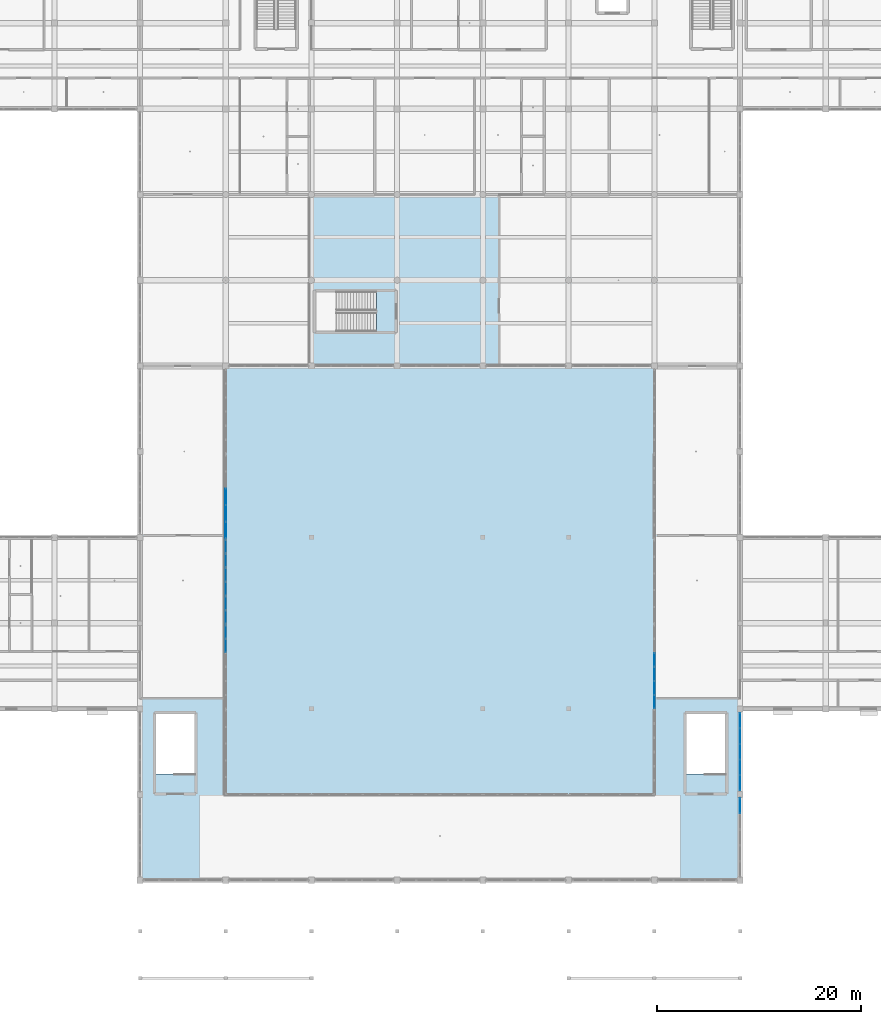
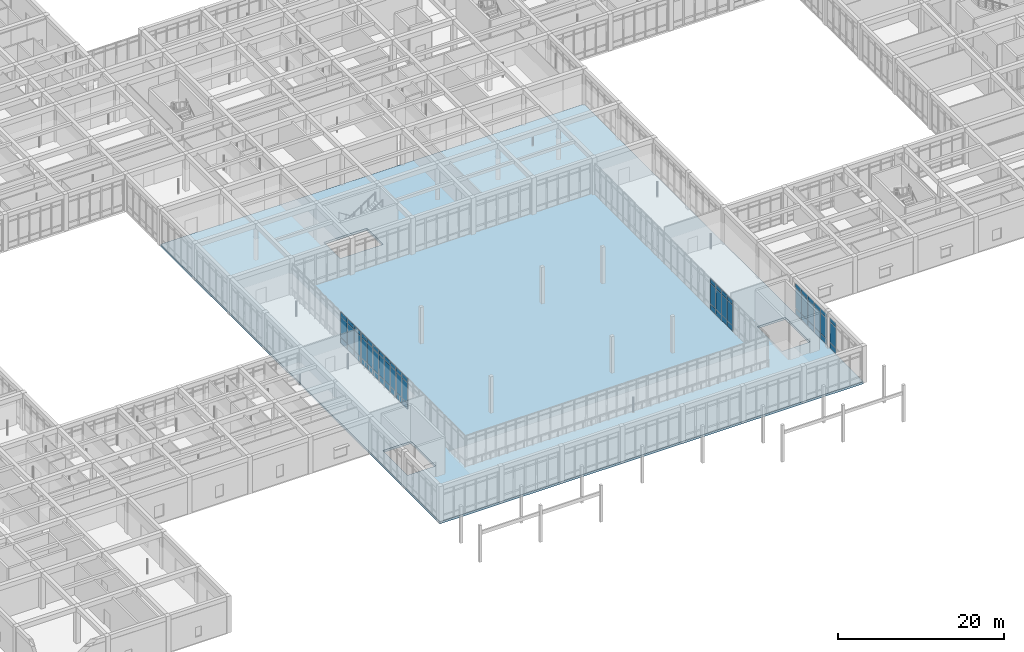
# One storey, part 61 of 157: 63 plates, 1 slab, 6 elements without a shape of their own.
"""IFC4 building model written with IfcOpenShell, lengths in metres."""

from ifc_helpers import new_model, si_unit, direction, frame, origin, origin_2d, place, context, subcontext, project, spatial, polyline, rectangle, outline, extrude, material, layer, layer_set, type_object, element, aggregate, save


model = new_model("IFC4")

# Units and contexts
model_context = context("Model", 3, precision=1e-05, world=origin(), true_north=direction((0.0, 1.0)))
body_context = subcontext(model_context, "Body", "Model", "MODEL_VIEW")
ifc_project = project(units=[si_unit("LENGTHUNIT", "METRE"), si_unit("AREAUNIT", "SQUARE_METRE"), si_unit("VOLUMEUNIT", "CUBIC_METRE"), si_unit("PLANEANGLEUNIT", "RADIAN"), si_unit("MASSUNIT", "GRAM", prefix="KILO")], contexts=[model_context])

# Site, building, storey
site_placement = place(None, origin())
site = spatial("IfcSite", under=ifc_project, at=site_placement, CompositionType="ELEMENT")
building_placement = place(site_placement, origin())
building = spatial("IfcBuilding", under=site, at=building_placement, Name="Varncliffe General Hospital", CompositionType="ELEMENT")
storey_placement = place(building_placement, frame((0.0, 0.0, 5.39990234375)))
storey = spatial("IfcBuildingStorey", under=building, at=storey_placement, Name="L01", CompositionType="ELEMENT", Elevation=5.39990234375)

# Curtain wall, plates
ifc_material_1 = material(Name="Triple low-E argon insulated vision glazing", Category="glass")
curtain_wall_type_1 = type_object("IfcCurtainWallType", Name="Unitised Glazed Curtain Wall CW14 (8260x4640)", PredefinedType="USERDEFINED", material=ifc_material_1)
curtain_wall_1_placement = place(storey_placement, origin())
curtain_wall_1 = element("IfcCurtainWall", 1, at=curtain_wall_1_placement, inside=storey, type_object=curtain_wall_type_1, Name="L01 Glazed Curtain Wall CW14-97", ObjectType="GLAZED CURTAIN WALL", PredefinedType="USERDEFINED")
ifc_layer_1 = layer(ifc_material_1, 0.0439453125)
ifc_layer_set_1 = layer_set([ifc_layer_1], Name="Triple low-E argon insulated vision glazing")
plate_type_1 = type_object("IfcPlateType", Name="Curtain Wall Glazing Panel CP12 (44mm)", PredefinedType="CURTAIN_PANEL", material=ifc_layer_set_1)
plate_1_placement = place(storey_placement, frame((109.199951171875, 24.6875, 0.06005859375), z_axis=(0.0, 0.0, 1.0), x_axis=(0.0, 1.0, 0.0)))
plate_1 = element("IfcPlate", 2, at=plate_1_placement, type_object=plate_type_1, Name="CW14 panel 1.1", PredefinedType="CURTAIN_PANEL", context=body_context, shape_type="SweptSolid", body=[
    extrude(rectangle(XDim=1.26416015625, YDim=0.0439453125, at=origin_2d()), origin(), (0.0, 0.0, 1.0), 0.81005859375),
])
plate_2_placement = place(storey_placement, frame((109.199951171875, 24.6875, 0.93017578125), z_axis=(0.0, 0.0, 1.0), x_axis=(0.0, 1.0, 0.0)))
plate_2 = element("IfcPlate", 3, at=plate_2_placement, type_object=plate_type_1, Name="CW14 panel 1.2", PredefinedType="CURTAIN_PANEL", context=body_context, shape_type="SweptSolid", body=[
    extrude(rectangle(XDim=1.26416015625, YDim=0.0439453125, at=origin_2d()), origin(), (0.0, 0.0, 1.0), 2.97998046875),
])
plate_3_placement = place(storey_placement, frame((109.199951171875, 24.6875, 3.97021484375), z_axis=(0.0, 0.0, 1.0), x_axis=(0.0, 1.0, 0.0)))
plate_3 = element("IfcPlate", 4, at=plate_3_placement, type_object=plate_type_1, Name="CW14 panel 1.3", PredefinedType="CURTAIN_PANEL", context=body_context, shape_type="SweptSolid", body=[
    extrude(rectangle(XDim=1.26416015625, YDim=0.0439453125, at=origin_2d()), origin(), (0.0, 0.0, 1.0), 0.610107421875),
])
plate_4_placement = place(storey_placement, frame((109.199951171875, 26.04541015625, 0.06005859375), z_axis=(0.0, 0.0, 1.0), x_axis=(0.0, 1.0, 0.0)))
plate_4 = element("IfcPlate", 5, at=plate_4_placement, type_object=plate_type_1, Name="CW14 panel 2.1", PredefinedType="CURTAIN_PANEL", context=body_context, shape_type="SweptSolid", body=[
    extrude(rectangle(XDim=1.3017578125, YDim=0.0439453125, at=origin_2d()), origin(), (0.0, 0.0, 1.0), 0.81005859375),
])
plate_5_placement = place(storey_placement, frame((109.199951171875, 26.04541015625, 0.93017578125), z_axis=(0.0, 0.0, 1.0), x_axis=(0.0, 1.0, 0.0)))
plate_5 = element("IfcPlate", 6, at=plate_5_placement, type_object=plate_type_1, Name="CW14 panel 2.2", PredefinedType="CURTAIN_PANEL", context=body_context, shape_type="SweptSolid", body=[
    extrude(rectangle(XDim=1.3017578125, YDim=0.0439453125, at=origin_2d()), origin(), (0.0, 0.0, 1.0), 2.97998046875),
])
plate_6_placement = place(storey_placement, frame((109.199951171875, 26.04541015625, 3.97021484375), z_axis=(0.0, 0.0, 1.0), x_axis=(0.0, 1.0, 0.0)))
plate_6 = element("IfcPlate", 7, at=plate_6_placement, type_object=plate_type_1, Name="CW14 panel 2.3", PredefinedType="CURTAIN_PANEL", context=body_context, shape_type="SweptSolid", body=[
    extrude(rectangle(XDim=1.3017578125, YDim=0.0439453125, at=origin_2d()), origin(), (0.0, 0.0, 1.0), 0.610107421875),
])
plate_7_placement = place(storey_placement, frame((109.199951171875, 27.422119140625, 0.06005859375), z_axis=(0.0, 0.0, 1.0), x_axis=(0.0, 1.0, 0.0)))
plate_7 = element("IfcPlate", 8, at=plate_7_placement, type_object=plate_type_1, Name="CW14 panel 3.1", PredefinedType="CURTAIN_PANEL", context=body_context, shape_type="SweptSolid", body=[
    extrude(rectangle(XDim=1.3017578125, YDim=0.0439453125, at=origin_2d()), origin(), (0.0, 0.0, 1.0), 0.81005859375),
])
plate_8_placement = place(storey_placement, frame((109.199951171875, 27.422119140625, 0.93017578125), z_axis=(0.0, 0.0, 1.0), x_axis=(0.0, 1.0, 0.0)))
plate_8 = element("IfcPlate", 9, at=plate_8_placement, type_object=plate_type_1, Name="CW14 panel 3.2", PredefinedType="CURTAIN_PANEL", context=body_context, shape_type="SweptSolid", body=[
    extrude(rectangle(XDim=1.3017578125, YDim=0.0439453125, at=origin_2d()), origin(), (0.0, 0.0, 1.0), 2.97998046875),
])
plate_9_placement = place(storey_placement, frame((109.199951171875, 27.422119140625, 3.97021484375), z_axis=(0.0, 0.0, 1.0), x_axis=(0.0, 1.0, 0.0)))
plate_9 = element("IfcPlate", 10, at=plate_9_placement, type_object=plate_type_1, Name="CW14 panel 3.3", PredefinedType="CURTAIN_PANEL", context=body_context, shape_type="SweptSolid", body=[
    extrude(rectangle(XDim=1.3017578125, YDim=0.0439453125, at=origin_2d()), origin(), (0.0, 0.0, 1.0), 0.610107421875),
])
plate_10_placement = place(storey_placement, frame((109.199951171875, 28.799072265625, 0.06005859375), z_axis=(0.0, 0.0, 1.0), x_axis=(0.0, 1.0, 0.0)))
plate_10 = element("IfcPlate", 11, at=plate_10_placement, type_object=plate_type_1, Name="CW14 panel 4.1", PredefinedType="CURTAIN_PANEL", context=body_context, shape_type="SweptSolid", body=[
    extrude(rectangle(XDim=1.3017578125, YDim=0.0439453125, at=origin_2d()), origin(), (0.0, 0.0, 1.0), 0.81005859375),
])
plate_11_placement = place(storey_placement, frame((109.199951171875, 28.799072265625, 0.93017578125), z_axis=(0.0, 0.0, 1.0), x_axis=(0.0, 1.0, 0.0)))
plate_11 = element("IfcPlate", 12, at=plate_11_placement, type_object=plate_type_1, Name="CW14 panel 4.2", PredefinedType="CURTAIN_PANEL", context=body_context, shape_type="SweptSolid", body=[
    extrude(rectangle(XDim=1.3017578125, YDim=0.0439453125, at=origin_2d()), origin(), (0.0, 0.0, 1.0), 2.97998046875),
])
plate_12_placement = place(storey_placement, frame((109.199951171875, 28.799072265625, 3.97021484375), z_axis=(0.0, 0.0, 1.0), x_axis=(0.0, 1.0, 0.0)))
plate_12 = element("IfcPlate", 13, at=plate_12_placement, type_object=plate_type_1, Name="CW14 panel 4.3", PredefinedType="CURTAIN_PANEL", context=body_context, shape_type="SweptSolid", body=[
    extrude(rectangle(XDim=1.3017578125, YDim=0.0439453125, at=origin_2d()), origin(), (0.0, 0.0, 1.0), 0.610107421875),
])
aggregate(curtain_wall_1, [plate_1, plate_2, plate_3, plate_4, plate_5, plate_6, plate_7, plate_8, plate_9, plate_10, plate_11, plate_12])

curtain_wall_2_placement = place(storey_placement, origin())
curtain_wall_2 = element("IfcCurtainWall", 14, at=curtain_wall_2_placement, inside=storey, type_object=curtain_wall_type_1, Name="L01 Glazed Curtain Wall CW14-109", ObjectType="GLAZED CURTAIN WALL", PredefinedType="USERDEFINED")
plate_13_placement = place(storey_placement, frame((67.199951171875, 31.53369140625, 0.06005859375), z_axis=(0.0, 0.0, 1.0), x_axis=(0.0, -1.0, 0.0)))
plate_13 = element("IfcPlate", 15, at=plate_13_placement, type_object=plate_type_1, Name="CW14 panel 1.1", PredefinedType="CURTAIN_PANEL", context=body_context, shape_type="SweptSolid", body=[
    extrude(rectangle(XDim=1.26416015625, YDim=0.0439453125, at=origin_2d()), origin(), (0.0, 0.0, 1.0), 0.81005859375),
])
plate_14_placement = place(storey_placement, frame((67.199951171875, 31.53369140625, 0.93017578125), z_axis=(0.0, 0.0, 1.0), x_axis=(0.0, -1.0, 0.0)))
plate_14 = element("IfcPlate", 16, at=plate_14_placement, type_object=plate_type_1, Name="CW14 panel 1.2", PredefinedType="CURTAIN_PANEL", context=body_context, shape_type="SweptSolid", body=[
    extrude(rectangle(XDim=1.26416015625, YDim=0.0439453125, at=origin_2d()), origin(), (0.0, 0.0, 1.0), 2.97998046875),
])
plate_15_placement = place(storey_placement, frame((67.199951171875, 31.53369140625, 3.97021484375), z_axis=(0.0, 0.0, 1.0), x_axis=(0.0, -1.0, 0.0)))
plate_15 = element("IfcPlate", 17, at=plate_15_placement, type_object=plate_type_1, Name="CW14 panel 1.3", PredefinedType="CURTAIN_PANEL", context=body_context, shape_type="SweptSolid", body=[
    extrude(rectangle(XDim=1.26416015625, YDim=0.0439453125, at=origin_2d()), origin(), (0.0, 0.0, 1.0), 0.610107421875),
])
plate_16_placement = place(storey_placement, frame((67.199951171875, 30.17578125, 0.06005859375), z_axis=(0.0, 0.0, 1.0), x_axis=(0.0, -1.0, 0.0)))
plate_16 = element("IfcPlate", 18, at=plate_16_placement, type_object=plate_type_1, Name="CW14 panel 2.1", PredefinedType="CURTAIN_PANEL", context=body_context, shape_type="SweptSolid", body=[
    extrude(rectangle(XDim=1.3017578125, YDim=0.0439453125, at=origin_2d()), origin(), (0.0, 0.0, 1.0), 0.81005859375),
])
plate_17_placement = place(storey_placement, frame((67.199951171875, 30.17578125, 0.93017578125), z_axis=(0.0, 0.0, 1.0), x_axis=(0.0, -1.0, 0.0)))
plate_17 = element("IfcPlate", 19, at=plate_17_placement, type_object=plate_type_1, Name="CW14 panel 2.2", PredefinedType="CURTAIN_PANEL", context=body_context, shape_type="SweptSolid", body=[
    extrude(rectangle(XDim=1.3017578125, YDim=0.0439453125, at=origin_2d()), origin(), (0.0, 0.0, 1.0), 2.97998046875),
])
plate_18_placement = place(storey_placement, frame((67.199951171875, 30.17578125, 3.97021484375), z_axis=(0.0, 0.0, 1.0), x_axis=(0.0, -1.0, 0.0)))
plate_18 = element("IfcPlate", 20, at=plate_18_placement, type_object=plate_type_1, Name="CW14 panel 2.3", PredefinedType="CURTAIN_PANEL", context=body_context, shape_type="SweptSolid", body=[
    extrude(rectangle(XDim=1.3017578125, YDim=0.0439453125, at=origin_2d()), origin(), (0.0, 0.0, 1.0), 0.610107421875),
])
aggregate(curtain_wall_2, [plate_13, plate_14, plate_15, plate_16, plate_17, plate_18])

curtain_wall_type_2 = type_object("IfcCurtainWallType", Name="Unitised Glazed Curtain Wall CW85 (7804x4640)", PredefinedType="USERDEFINED", material=ifc_material_1)
curtain_wall_3_placement = place(storey_placement, origin())
curtain_wall_3 = element("IfcCurtainWall", 21, at=curtain_wall_3_placement, inside=storey, type_object=curtain_wall_type_2, Name="L01 Glazed Curtain Wall CW85-45", ObjectType="GLAZED CURTAIN WALL", PredefinedType="USERDEFINED")
ifc_layer_2 = layer(ifc_material_1, 0.035888671875)
ifc_layer_set_2 = layer_set([ifc_layer_2], Name="Triple low-E argon insulated vision glazing")
plate_type_2 = type_object("IfcPlateType", Name="Curtain Wall Glazing Panel CP27 (36mm)", PredefinedType="CURTAIN_PANEL", material=ifc_layer_set_2)
plate_19_placement = place(storey_placement, frame((117.60009765625, 14.5029296875, 0.06494140625), z_axis=(0.0, 0.0, 1.0), x_axis=(0.0, -1.0, 0.0)))
plate_19 = element("IfcPlate", 22, at=plate_19_placement, type_object=plate_type_2, Name="CW85 panel 1.1", PredefinedType="CURTAIN_PANEL", context=body_context, shape_type="SweptSolid", body=[
    extrude(rectangle(XDim=1.4482421875, YDim=0.035888671875, at=origin_2d()), origin(), (0.0, 0.0, 1.0), 0.802490234375),
])
plate_20_placement = place(storey_placement, frame((117.60009765625, 14.5029296875, 0.9326171875), z_axis=(0.0, 0.0, 1.0), x_axis=(0.0, -1.0, 0.0)))
plate_20 = element("IfcPlate", 23, at=plate_20_placement, type_object=plate_type_2, Name="CW85 panel 1.2", PredefinedType="CURTAIN_PANEL", context=body_context, shape_type="SweptSolid", body=[
    extrude(rectangle(XDim=1.4482421875, YDim=0.035888671875, at=origin_2d()), origin(), (0.0, 0.0, 1.0), 2.97509765625),
])
plate_21_placement = place(storey_placement, frame((117.60009765625, 14.5029296875, 3.97265625), z_axis=(0.0, 0.0, 1.0), x_axis=(0.0, -1.0, 0.0)))
plate_21 = element("IfcPlate", 24, at=plate_21_placement, type_object=plate_type_2, Name="CW85 panel 1.3", PredefinedType="CURTAIN_PANEL", context=body_context, shape_type="SweptSolid", body=[
    extrude(rectangle(XDim=1.4482421875, YDim=0.035888671875, at=origin_2d()), origin(), (0.0, 0.0, 1.0), 0.6025390625),
])
aggregate(curtain_wall_3, [plate_19, plate_20, plate_21])

curtain_wall_type_3 = type_object("IfcCurtainWallType", Name="Unitised Glazed Curtain Wall CW86 (8340x4640)", PredefinedType="USERDEFINED", material=ifc_material_1)
curtain_wall_4_placement = place(storey_placement, origin())
curtain_wall_4 = element("IfcCurtainWall", 25, at=curtain_wall_4_placement, inside=storey, type_object=curtain_wall_type_3, Name="L01 Glazed Curtain Wall CW86-108", ObjectType="GLAZED CURTAIN WALL", PredefinedType="USERDEFINED")
plate_22_placement = place(storey_placement, frame((67.199951171875, 39.907470703125, 0.06494140625), z_axis=(0.0, 0.0, 1.0), x_axis=(0.0, -1.0, 0.0)))
plate_22 = element("IfcPlate", 26, at=plate_22_placement, type_object=plate_type_2, Name="CW86 panel 1.1", PredefinedType="CURTAIN_PANEL", context=body_context, shape_type="SweptSolid", body=[
    extrude(rectangle(XDim=1.277587890625, YDim=0.035888671875, at=origin_2d()), origin(), (0.0, 0.0, 1.0), 0.802490234375),
])
plate_23_placement = place(storey_placement, frame((67.199951171875, 39.907470703125, 0.9326171875), z_axis=(0.0, 0.0, 1.0), x_axis=(0.0, -1.0, 0.0)))
plate_23 = element("IfcPlate", 27, at=plate_23_placement, type_object=plate_type_2, Name="CW86 panel 1.2", PredefinedType="CURTAIN_PANEL", context=body_context, shape_type="SweptSolid", body=[
    extrude(rectangle(XDim=1.277587890625, YDim=0.035888671875, at=origin_2d()), origin(), (0.0, 0.0, 1.0), 2.97509765625),
])
plate_24_placement = place(storey_placement, frame((67.199951171875, 39.907470703125, 3.97265625), z_axis=(0.0, 0.0, 1.0), x_axis=(0.0, -1.0, 0.0)))
plate_24 = element("IfcPlate", 28, at=plate_24_placement, type_object=plate_type_2, Name="CW86 panel 1.3", PredefinedType="CURTAIN_PANEL", context=body_context, shape_type="SweptSolid", body=[
    extrude(rectangle(XDim=1.277587890625, YDim=0.035888671875, at=origin_2d()), origin(), (0.0, 0.0, 1.0), 0.6025390625),
])
plate_25_placement = place(storey_placement, frame((67.199951171875, 38.5361328125, 0.06494140625), z_axis=(0.0, 0.0, 1.0), x_axis=(0.0, -1.0, 0.0)))
plate_25 = element("IfcPlate", 29, at=plate_25_placement, type_object=plate_type_2, Name="CW86 panel 2.1", PredefinedType="CURTAIN_PANEL", context=body_context, shape_type="SweptSolid", body=[
    extrude(rectangle(XDim=1.315185546875, YDim=0.035888671875, at=origin_2d()), origin(), (0.0, 0.0, 1.0), 0.802490234375),
])
plate_26_placement = place(storey_placement, frame((67.199951171875, 38.5361328125, 0.9326171875), z_axis=(0.0, 0.0, 1.0), x_axis=(0.0, -1.0, 0.0)))
plate_26 = element("IfcPlate", 30, at=plate_26_placement, type_object=plate_type_2, Name="CW86 panel 2.2", PredefinedType="CURTAIN_PANEL", context=body_context, shape_type="SweptSolid", body=[
    extrude(rectangle(XDim=1.315185546875, YDim=0.035888671875, at=origin_2d()), origin(), (0.0, 0.0, 1.0), 2.97509765625),
])
plate_27_placement = place(storey_placement, frame((67.199951171875, 38.5361328125, 3.97265625), z_axis=(0.0, 0.0, 1.0), x_axis=(0.0, -1.0, 0.0)))
plate_27 = element("IfcPlate", 31, at=plate_27_placement, type_object=plate_type_2, Name="CW86 panel 2.3", PredefinedType="CURTAIN_PANEL", context=body_context, shape_type="SweptSolid", body=[
    extrude(rectangle(XDim=1.315185546875, YDim=0.035888671875, at=origin_2d()), origin(), (0.0, 0.0, 1.0), 0.6025390625),
])
plate_28_placement = place(storey_placement, frame((67.199951171875, 37.14599609375, 0.06494140625), z_axis=(0.0, 0.0, 1.0), x_axis=(0.0, -1.0, 0.0)))
plate_28 = element("IfcPlate", 32, at=plate_28_placement, type_object=plate_type_2, Name="CW86 panel 3.1", PredefinedType="CURTAIN_PANEL", context=body_context, shape_type="SweptSolid", body=[
    extrude(rectangle(XDim=1.315185546875, YDim=0.035888671875, at=origin_2d()), origin(), (0.0, 0.0, 1.0), 0.802490234375),
])
plate_29_placement = place(storey_placement, frame((67.199951171875, 37.14599609375, 0.9326171875), z_axis=(0.0, 0.0, 1.0), x_axis=(0.0, -1.0, 0.0)))
plate_29 = element("IfcPlate", 33, at=plate_29_placement, type_object=plate_type_2, Name="CW86 panel 3.2", PredefinedType="CURTAIN_PANEL", context=body_context, shape_type="SweptSolid", body=[
    extrude(rectangle(XDim=1.315185546875, YDim=0.035888671875, at=origin_2d()), origin(), (0.0, 0.0, 1.0), 2.97509765625),
])
plate_30_placement = place(storey_placement, frame((67.199951171875, 37.14599609375, 3.97265625), z_axis=(0.0, 0.0, 1.0), x_axis=(0.0, -1.0, 0.0)))
plate_30 = element("IfcPlate", 34, at=plate_30_placement, type_object=plate_type_2, Name="CW86 panel 3.3", PredefinedType="CURTAIN_PANEL", context=body_context, shape_type="SweptSolid", body=[
    extrude(rectangle(XDim=1.315185546875, YDim=0.035888671875, at=origin_2d()), origin(), (0.0, 0.0, 1.0), 0.6025390625),
])
plate_31_placement = place(storey_placement, frame((67.199951171875, 35.755859375, 0.06494140625), z_axis=(0.0, 0.0, 1.0), x_axis=(0.0, -1.0, 0.0)))
plate_31 = element("IfcPlate", 35, at=plate_31_placement, type_object=plate_type_2, Name="CW86 panel 4.1", PredefinedType="CURTAIN_PANEL", context=body_context, shape_type="SweptSolid", body=[
    extrude(rectangle(XDim=1.315185546875, YDim=0.035888671875, at=origin_2d()), origin(), (0.0, 0.0, 1.0), 0.802490234375),
])
plate_32_placement = place(storey_placement, frame((67.199951171875, 35.755859375, 0.9326171875), z_axis=(0.0, 0.0, 1.0), x_axis=(0.0, -1.0, 0.0)))
plate_32 = element("IfcPlate", 36, at=plate_32_placement, type_object=plate_type_2, Name="CW86 panel 4.2", PredefinedType="CURTAIN_PANEL", context=body_context, shape_type="SweptSolid", body=[
    extrude(rectangle(XDim=1.315185546875, YDim=0.035888671875, at=origin_2d()), origin(), (0.0, 0.0, 1.0), 2.97509765625),
])
plate_33_placement = place(storey_placement, frame((67.199951171875, 35.755859375, 3.97265625), z_axis=(0.0, 0.0, 1.0), x_axis=(0.0, -1.0, 0.0)))
plate_33 = element("IfcPlate", 37, at=plate_33_placement, type_object=plate_type_2, Name="CW86 panel 4.3", PredefinedType="CURTAIN_PANEL", context=body_context, shape_type="SweptSolid", body=[
    extrude(rectangle(XDim=1.315185546875, YDim=0.035888671875, at=origin_2d()), origin(), (0.0, 0.0, 1.0), 0.6025390625),
])
plate_34_placement = place(storey_placement, frame((67.199951171875, 34.365966796875, 0.06494140625), z_axis=(0.0, 0.0, 1.0), x_axis=(0.0, -1.0, 0.0)))
plate_34 = element("IfcPlate", 38, at=plate_34_placement, type_object=plate_type_2, Name="CW86 panel 5.1", PredefinedType="CURTAIN_PANEL", context=body_context, shape_type="SweptSolid", body=[
    extrude(rectangle(XDim=1.315185546875, YDim=0.035888671875, at=origin_2d()), origin(), (0.0, 0.0, 1.0), 0.802490234375),
])
plate_35_placement = place(storey_placement, frame((67.199951171875, 34.365966796875, 0.9326171875), z_axis=(0.0, 0.0, 1.0), x_axis=(0.0, -1.0, 0.0)))
plate_35 = element("IfcPlate", 39, at=plate_35_placement, type_object=plate_type_2, Name="CW86 panel 5.2", PredefinedType="CURTAIN_PANEL", context=body_context, shape_type="SweptSolid", body=[
    extrude(rectangle(XDim=1.315185546875, YDim=0.035888671875, at=origin_2d()), origin(), (0.0, 0.0, 1.0), 2.97509765625),
])
plate_36_placement = place(storey_placement, frame((67.199951171875, 34.365966796875, 3.97265625), z_axis=(0.0, 0.0, 1.0), x_axis=(0.0, -1.0, 0.0)))
plate_36 = element("IfcPlate", 40, at=plate_36_placement, type_object=plate_type_2, Name="CW86 panel 5.3", PredefinedType="CURTAIN_PANEL", context=body_context, shape_type="SweptSolid", body=[
    extrude(rectangle(XDim=1.315185546875, YDim=0.035888671875, at=origin_2d()), origin(), (0.0, 0.0, 1.0), 0.6025390625),
])
plate_37_placement = place(storey_placement, frame((67.199951171875, 32.99462890625, 0.06494140625), z_axis=(0.0, 0.0, 1.0), x_axis=(0.0, -1.0, 0.0)))
plate_37 = element("IfcPlate", 41, at=plate_37_placement, type_object=plate_type_2, Name="CW86 panel 6.1", PredefinedType="CURTAIN_PANEL", context=body_context, shape_type="SweptSolid", body=[
    extrude(rectangle(XDim=1.277587890625, YDim=0.035888671875, at=origin_2d()), origin(), (0.0, 0.0, 1.0), 0.802490234375),
])
plate_38_placement = place(storey_placement, frame((67.199951171875, 32.99462890625, 0.9326171875), z_axis=(0.0, 0.0, 1.0), x_axis=(0.0, -1.0, 0.0)))
plate_38 = element("IfcPlate", 42, at=plate_38_placement, type_object=plate_type_2, Name="CW86 panel 6.2", PredefinedType="CURTAIN_PANEL", context=body_context, shape_type="SweptSolid", body=[
    extrude(rectangle(XDim=1.277587890625, YDim=0.035888671875, at=origin_2d()), origin(), (0.0, 0.0, 1.0), 2.97509765625),
])
plate_39_placement = place(storey_placement, frame((67.199951171875, 32.99462890625, 3.97265625), z_axis=(0.0, 0.0, 1.0), x_axis=(0.0, -1.0, 0.0)))
plate_39 = element("IfcPlate", 43, at=plate_39_placement, type_object=plate_type_2, Name="CW86 panel 6.3", PredefinedType="CURTAIN_PANEL", context=body_context, shape_type="SweptSolid", body=[
    extrude(rectangle(XDim=1.277587890625, YDim=0.035888671875, at=origin_2d()), origin(), (0.0, 0.0, 1.0), 0.6025390625),
])
aggregate(curtain_wall_4, [plate_22, plate_23, plate_24, plate_25, plate_26, plate_27, plate_28, plate_29, plate_30, plate_31, plate_32, plate_33, plate_34, plate_35, plate_36, plate_37, plate_38, plate_39])

curtain_wall_type_4 = type_object("IfcCurtainWallType", Name="Unitised Glazed Curtain Wall CW16 (8180x4640)", PredefinedType="USERDEFINED", material=ifc_material_1)
curtain_wall_5_placement = place(storey_placement, origin())
curtain_wall_5 = element("IfcCurtainWall", 44, at=curtain_wall_5_placement, inside=storey, type_object=curtain_wall_type_4, Name="L01 Glazed Curtain Wall CW16-107", ObjectType="GLAZED CURTAIN WALL", PredefinedType="USERDEFINED")
ifc_material_2 = material(Name="Insulated ceramic-fritted spandrel glazing panel", Category="glass")
ifc_layer_3 = layer(ifc_material_2, 0.052001953125)
ifc_layer_set_3 = layer_set([ifc_layer_3], Name="Insulated ceramic-fritted spandrel glazing panel")
plate_type_3 = type_object("IfcPlateType", Name="Curtain Wall Glazing Panel CP46 (52mm)", PredefinedType="CURTAIN_PANEL", material=ifc_layer_set_3)
plate_40_placement = place(storey_placement, frame((67.199951171875, 44.79150390625, 0.06005859375), z_axis=(0.0, 0.0, 1.0), x_axis=(0.0, -1.0, 0.0)))
plate_40 = element("IfcPlate", 45, at=plate_40_placement, type_object=plate_type_3, Name="CW16 panel 3.1", PredefinedType="CURTAIN_PANEL", context=body_context, shape_type="SweptSolid", body=[
    extrude(rectangle(XDim=1.571044921875, YDim=0.052001953125, at=origin_2d()), origin(), (0.0, 0.0, 1.0), 0.81005859375),
])
plate_41_placement = place(storey_placement, frame((67.199951171875, 44.79150390625, 0.93017578125), z_axis=(0.0, 0.0, 1.0), x_axis=(0.0, -1.0, 0.0)))
plate_41 = element("IfcPlate", 46, at=plate_41_placement, type_object=plate_type_3, Name="CW16 panel 3.2", PredefinedType="CURTAIN_PANEL", context=body_context, shape_type="SweptSolid", body=[
    extrude(rectangle(XDim=1.571044921875, YDim=0.052001953125, at=origin_2d()), origin(), (0.0, 0.0, 1.0), 2.97998046875),
])
plate_42_placement = place(storey_placement, frame((67.199951171875, 44.79150390625, 3.97021484375), z_axis=(0.0, 0.0, 1.0), x_axis=(0.0, -1.0, 0.0)))
plate_42 = element("IfcPlate", 47, at=plate_42_placement, type_object=plate_type_3, Name="CW16 panel 3.3", PredefinedType="CURTAIN_PANEL", context=body_context, shape_type="SweptSolid", body=[
    extrude(rectangle(XDim=1.571044921875, YDim=0.052001953125, at=origin_2d()), origin(), (0.0, 0.0, 1.0), 0.610107421875),
])
plate_43_placement = place(storey_placement, frame((67.199951171875, 43.1552734375, 0.06005859375), z_axis=(0.0, 0.0, 1.0), x_axis=(0.0, -1.0, 0.0)))
plate_43 = element("IfcPlate", 48, at=plate_43_placement, type_object=plate_type_3, Name="CW16 panel 4.1", PredefinedType="CURTAIN_PANEL", context=body_context, shape_type="SweptSolid", body=[
    extrude(rectangle(XDim=1.571044921875, YDim=0.052001953125, at=origin_2d()), origin(), (0.0, 0.0, 1.0), 0.81005859375),
])
plate_44_placement = place(storey_placement, frame((67.199951171875, 43.1552734375, 0.93017578125), z_axis=(0.0, 0.0, 1.0), x_axis=(0.0, -1.0, 0.0)))
plate_44 = element("IfcPlate", 49, at=plate_44_placement, type_object=plate_type_3, Name="CW16 panel 4.2", PredefinedType="CURTAIN_PANEL", context=body_context, shape_type="SweptSolid", body=[
    extrude(rectangle(XDim=1.571044921875, YDim=0.052001953125, at=origin_2d()), origin(), (0.0, 0.0, 1.0), 2.97998046875),
])
plate_45_placement = place(storey_placement, frame((67.199951171875, 43.1552734375, 3.97021484375), z_axis=(0.0, 0.0, 1.0), x_axis=(0.0, -1.0, 0.0)))
plate_45 = element("IfcPlate", 50, at=plate_45_placement, type_object=plate_type_3, Name="CW16 panel 4.3", PredefinedType="CURTAIN_PANEL", context=body_context, shape_type="SweptSolid", body=[
    extrude(rectangle(XDim=1.571044921875, YDim=0.052001953125, at=origin_2d()), origin(), (0.0, 0.0, 1.0), 0.610107421875),
])
plate_46_placement = place(storey_placement, frame((67.199951171875, 41.535400390625, 0.06005859375), z_axis=(0.0, 0.0, 1.0), x_axis=(0.0, -1.0, 0.0)))
plate_46 = element("IfcPlate", 51, at=plate_46_placement, type_object=plate_type_3, Name="CW16 panel 5.1", PredefinedType="CURTAIN_PANEL", context=body_context, shape_type="SweptSolid", body=[
    extrude(rectangle(XDim=1.53857421875, YDim=0.052001953125, at=origin_2d()), origin(), (0.0, 0.0, 1.0), 0.81005859375),
])
plate_47_placement = place(storey_placement, frame((67.199951171875, 41.535400390625, 0.93017578125), z_axis=(0.0, 0.0, 1.0), x_axis=(0.0, -1.0, 0.0)))
plate_47 = element("IfcPlate", 52, at=plate_47_placement, type_object=plate_type_3, Name="CW16 panel 5.2", PredefinedType="CURTAIN_PANEL", context=body_context, shape_type="SweptSolid", body=[
    extrude(rectangle(XDim=1.53857421875, YDim=0.052001953125, at=origin_2d()), origin(), (0.0, 0.0, 1.0), 2.97998046875),
])
plate_48_placement = place(storey_placement, frame((67.199951171875, 41.535400390625, 3.97021484375), z_axis=(0.0, 0.0, 1.0), x_axis=(0.0, -1.0, 0.0)))
plate_48 = element("IfcPlate", 53, at=plate_48_placement, type_object=plate_type_3, Name="CW16 panel 5.3", PredefinedType="CURTAIN_PANEL", context=body_context, shape_type="SweptSolid", body=[
    extrude(rectangle(XDim=1.53857421875, YDim=0.052001953125, at=origin_2d()), origin(), (0.0, 0.0, 1.0), 0.610107421875),
])
aggregate(curtain_wall_5, [plate_40, plate_41, plate_42, plate_43, plate_44, plate_45, plate_46, plate_47, plate_48])

curtain_wall_type_5 = type_object("IfcCurtainWallType", Name="Unitised Glazed Curtain Wall CW27 (7644x4640)", PredefinedType="USERDEFINED", material=ifc_material_1)
curtain_wall_6_placement = place(storey_placement, origin())
curtain_wall_6 = element("IfcCurtainWall", 54, at=curtain_wall_6_placement, inside=storey, type_object=curtain_wall_type_5, Name="L01 Glazed Curtain Wall CW27-44", ObjectType="GLAZED CURTAIN WALL", PredefinedType="USERDEFINED")
ifc_layer_4 = layer(ifc_material_1, 0.028076171875)
ifc_layer_set_4 = layer_set([ifc_layer_4], Name="Triple low-E argon insulated vision glazing")
plate_type_4 = type_object("IfcPlateType", Name="Curtain Wall Glazing Panel CP48 (28mm)", PredefinedType="CURTAIN_PANEL", material=ifc_layer_set_4)
plate_49_placement = place(storey_placement, frame((117.60009765625, 22.84130859375, 0.06005859375), z_axis=(0.0, 0.0, 1.0), x_axis=(0.0, -1.0, 0.0)))
plate_49 = element("IfcPlate", 55, at=plate_49_placement, type_object=plate_type_4, Name="CW27 panel 1.1", PredefinedType="CURTAIN_PANEL", context=body_context, shape_type="SweptSolid", body=[
    extrude(rectangle(XDim=1.431396484375, YDim=0.028076171875, at=origin_2d()), origin(), (0.0, 0.0, 1.0), 0.81005859375),
])
plate_50_placement = place(storey_placement, frame((117.60009765625, 22.84130859375, 0.93017578125), z_axis=(0.0, 0.0, 1.0), x_axis=(0.0, -1.0, 0.0)))
plate_50 = element("IfcPlate", 56, at=plate_50_placement, type_object=plate_type_4, Name="CW27 panel 1.2", PredefinedType="CURTAIN_PANEL", context=body_context, shape_type="SweptSolid", body=[
    extrude(rectangle(XDim=1.431396484375, YDim=0.028076171875, at=origin_2d()), origin(), (0.0, 0.0, 1.0), 2.97998046875),
])
plate_51_placement = place(storey_placement, frame((117.60009765625, 22.84130859375, 3.97021484375), z_axis=(0.0, 0.0, 1.0), x_axis=(0.0, -1.0, 0.0)))
plate_51 = element("IfcPlate", 57, at=plate_51_placement, type_object=plate_type_4, Name="CW27 panel 1.3", PredefinedType="CURTAIN_PANEL", context=body_context, shape_type="SweptSolid", body=[
    extrude(rectangle(XDim=1.431396484375, YDim=0.028076171875, at=origin_2d()), origin(), (0.0, 0.0, 1.0), 0.610107421875),
])
plate_52_placement = place(storey_placement, frame((117.60009765625, 21.328857421875, 0.06005859375), z_axis=(0.0, 0.0, 1.0), x_axis=(0.0, -1.0, 0.0)))
plate_52 = element("IfcPlate", 58, at=plate_52_placement, type_object=plate_type_4, Name="CW27 panel 2.1", PredefinedType="CURTAIN_PANEL", context=body_context, shape_type="SweptSolid", body=[
    extrude(rectangle(XDim=1.4638671875, YDim=0.028076171875, at=origin_2d()), origin(), (0.0, 0.0, 1.0), 0.81005859375),
])
plate_53_placement = place(storey_placement, frame((117.60009765625, 21.328857421875, 0.93017578125), z_axis=(0.0, 0.0, 1.0), x_axis=(0.0, -1.0, 0.0)))
plate_53 = element("IfcPlate", 59, at=plate_53_placement, type_object=plate_type_4, Name="CW27 panel 2.2", PredefinedType="CURTAIN_PANEL", context=body_context, shape_type="SweptSolid", body=[
    extrude(rectangle(XDim=1.4638671875, YDim=0.028076171875, at=origin_2d()), origin(), (0.0, 0.0, 1.0), 2.97998046875),
])
plate_54_placement = place(storey_placement, frame((117.60009765625, 21.328857421875, 3.97021484375), z_axis=(0.0, 0.0, 1.0), x_axis=(0.0, -1.0, 0.0)))
plate_54 = element("IfcPlate", 60, at=plate_54_placement, type_object=plate_type_4, Name="CW27 panel 2.3", PredefinedType="CURTAIN_PANEL", context=body_context, shape_type="SweptSolid", body=[
    extrude(rectangle(XDim=1.4638671875, YDim=0.028076171875, at=origin_2d()), origin(), (0.0, 0.0, 1.0), 0.610107421875),
])
plate_55_placement = place(storey_placement, frame((117.60009765625, 19.800048828125, 0.06005859375), z_axis=(0.0, 0.0, 1.0), x_axis=(0.0, -1.0, 0.0)))
plate_55 = element("IfcPlate", 61, at=plate_55_placement, type_object=plate_type_4, Name="CW27 panel 3.1", PredefinedType="CURTAIN_PANEL", context=body_context, shape_type="SweptSolid", body=[
    extrude(rectangle(XDim=1.4638671875, YDim=0.028076171875, at=origin_2d()), origin(), (0.0, 0.0, 1.0), 0.81005859375),
])
plate_56_placement = place(storey_placement, frame((117.60009765625, 19.800048828125, 0.93017578125), z_axis=(0.0, 0.0, 1.0), x_axis=(0.0, -1.0, 0.0)))
plate_56 = element("IfcPlate", 62, at=plate_56_placement, type_object=plate_type_4, Name="CW27 panel 3.2", PredefinedType="CURTAIN_PANEL", context=body_context, shape_type="SweptSolid", body=[
    extrude(rectangle(XDim=1.4638671875, YDim=0.028076171875, at=origin_2d()), origin(), (0.0, 0.0, 1.0), 2.97998046875),
])
plate_57_placement = place(storey_placement, frame((117.60009765625, 19.800048828125, 3.97021484375), z_axis=(0.0, 0.0, 1.0), x_axis=(0.0, -1.0, 0.0)))
plate_57 = element("IfcPlate", 63, at=plate_57_placement, type_object=plate_type_4, Name="CW27 panel 3.3", PredefinedType="CURTAIN_PANEL", context=body_context, shape_type="SweptSolid", body=[
    extrude(rectangle(XDim=1.4638671875, YDim=0.028076171875, at=origin_2d()), origin(), (0.0, 0.0, 1.0), 0.610107421875),
])
plate_58_placement = place(storey_placement, frame((117.60009765625, 18.271240234375, 0.06005859375), z_axis=(0.0, 0.0, 1.0), x_axis=(0.0, -1.0, 0.0)))
plate_58 = element("IfcPlate", 64, at=plate_58_placement, type_object=plate_type_4, Name="CW27 panel 4.1", PredefinedType="CURTAIN_PANEL", context=body_context, shape_type="SweptSolid", body=[
    extrude(rectangle(XDim=1.4638671875, YDim=0.028076171875, at=origin_2d()), origin(), (0.0, 0.0, 1.0), 0.81005859375),
])
plate_59_placement = place(storey_placement, frame((117.60009765625, 18.271240234375, 0.93017578125), z_axis=(0.0, 0.0, 1.0), x_axis=(0.0, -1.0, 0.0)))
plate_59 = element("IfcPlate", 65, at=plate_59_placement, type_object=plate_type_4, Name="CW27 panel 4.2", PredefinedType="CURTAIN_PANEL", context=body_context, shape_type="SweptSolid", body=[
    extrude(rectangle(XDim=1.4638671875, YDim=0.028076171875, at=origin_2d()), origin(), (0.0, 0.0, 1.0), 2.97998046875),
])
plate_60_placement = place(storey_placement, frame((117.60009765625, 18.271240234375, 3.97021484375), z_axis=(0.0, 0.0, 1.0), x_axis=(0.0, -1.0, 0.0)))
plate_60 = element("IfcPlate", 66, at=plate_60_placement, type_object=plate_type_4, Name="CW27 panel 4.3", PredefinedType="CURTAIN_PANEL", context=body_context, shape_type="SweptSolid", body=[
    extrude(rectangle(XDim=1.4638671875, YDim=0.028076171875, at=origin_2d()), origin(), (0.0, 0.0, 1.0), 0.610107421875),
])
plate_61_placement = place(storey_placement, frame((117.60009765625, 16.758544921875, 0.06005859375), z_axis=(0.0, 0.0, 1.0), x_axis=(0.0, -1.0, 0.0)))
plate_61 = element("IfcPlate", 67, at=plate_61_placement, type_object=plate_type_4, Name="CW27 panel 5.1", PredefinedType="CURTAIN_PANEL", context=body_context, shape_type="SweptSolid", body=[
    extrude(rectangle(XDim=1.431396484375, YDim=0.028076171875, at=origin_2d()), origin(), (0.0, 0.0, 1.0), 0.81005859375),
])
plate_62_placement = place(storey_placement, frame((117.60009765625, 16.758544921875, 0.93017578125), z_axis=(0.0, 0.0, 1.0), x_axis=(0.0, -1.0, 0.0)))
plate_62 = element("IfcPlate", 68, at=plate_62_placement, type_object=plate_type_4, Name="CW27 panel 5.2", PredefinedType="CURTAIN_PANEL", context=body_context, shape_type="SweptSolid", body=[
    extrude(rectangle(XDim=1.431396484375, YDim=0.028076171875, at=origin_2d()), origin(), (0.0, 0.0, 1.0), 2.97998046875),
])
plate_63_placement = place(storey_placement, frame((117.60009765625, 16.758544921875, 3.97021484375), z_axis=(0.0, 0.0, 1.0), x_axis=(0.0, -1.0, 0.0)))
plate_63 = element("IfcPlate", 69, at=plate_63_placement, type_object=plate_type_4, Name="CW27 panel 5.3", PredefinedType="CURTAIN_PANEL", context=body_context, shape_type="SweptSolid", body=[
    extrude(rectangle(XDim=1.431396484375, YDim=0.028076171875, at=origin_2d()), origin(), (0.0, 0.0, 1.0), 0.610107421875),
])
aggregate(curtain_wall_6, [plate_49, plate_50, plate_51, plate_52, plate_53, plate_54, plate_55, plate_56, plate_57, plate_58, plate_59, plate_60, plate_61, plate_62, plate_63])

# Slab
ifc_material_3 = material(Name="Concrete C35/45 (CSA A23.1 35 MPa)", Category="concrete")
ifc_layer_5 = layer(ifc_material_3, 0.320068359375)
ifc_layer_set_5 = layer_set([ifc_layer_5], Name="Concrete C35/45 (CSA A23.1 35 MPa)")
slab_type = type_object("IfcSlabType", Name="Floor Slab SL41 (Int 320mm)", PredefinedType="FLOOR", material=ifc_layer_set_5)
slab_placement = place(storey_placement, frame((0.0, 0.0, -0.31982421875)))
element("IfcSlab", 70, at=slab_placement, inside=storey, type_object=slab_type, Name="L01 V1 Structural Floor Slab 1", PredefinedType="FLOOR", context=body_context, shape_type="SweptSolid", body=[
    extrude(outline(polyline([(117.60009765625, 7.199951171875), (58.800048828125, 7.199951171875), (58.800048828125, 15.60009765625), (58.800048828125, 57.60009765625), (58.800048828125, 74.39990234375), (117.60009765625, 74.39990234375), (117.60009765625, 57.60009765625), (117.60009765625, 15.60009765625), (117.60009765625, 7.199951171875)]), holes=[polyline([(64.199951171875, 17.60009765625), (64.199951171875, 23.550048828125), (60.300048828125, 23.550048828125), (60.300048828125, 17.60009765625), (64.199951171875, 17.60009765625)]), polyline([(116.199951171875, 17.60009765625), (116.199951171875, 23.550048828125), (112.300048828125, 23.550048828125), (112.300048828125, 17.60009765625), (116.199951171875, 17.60009765625)]), polyline([(81.949951171875, 64.89990234375), (76.0, 64.89990234375), (76.0, 61.0), (81.949951171875, 61.0), (81.949951171875, 64.89990234375)])]), origin(), (0.0, 0.0, 1.0), 0.31982421875),
])

save(model, "model.ifc")
